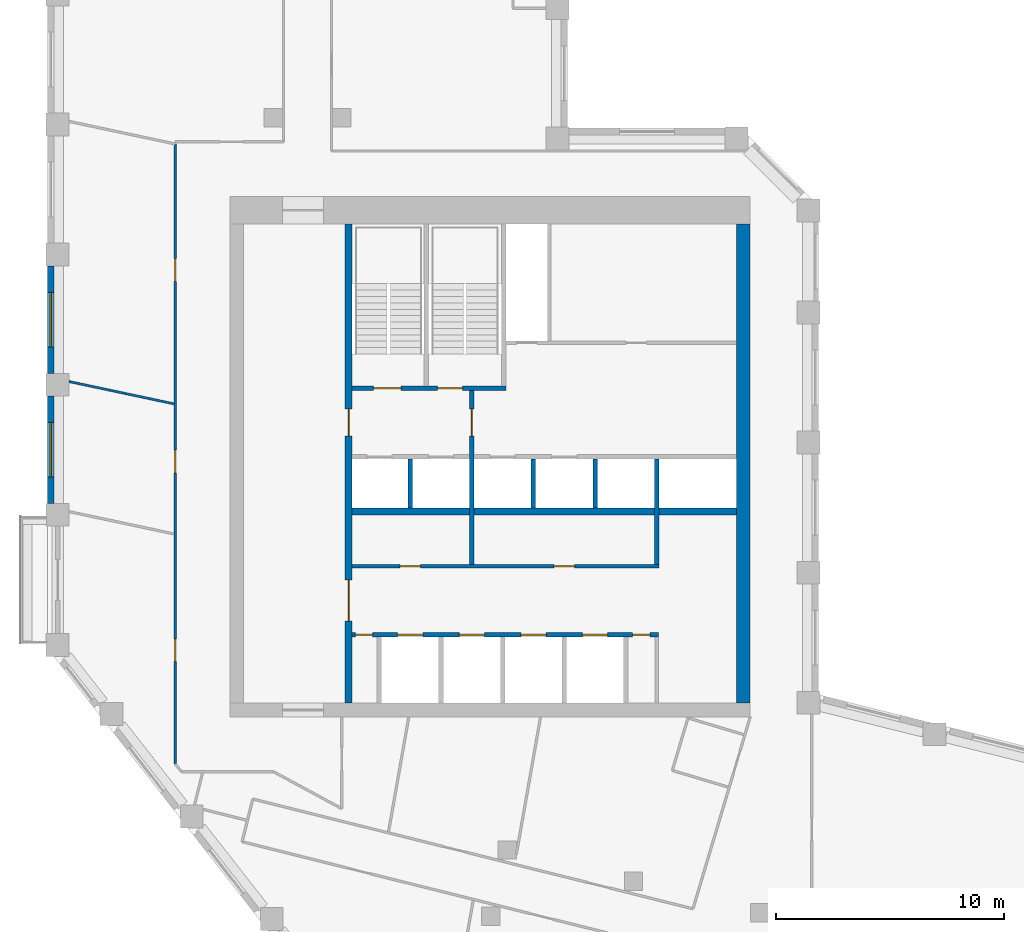
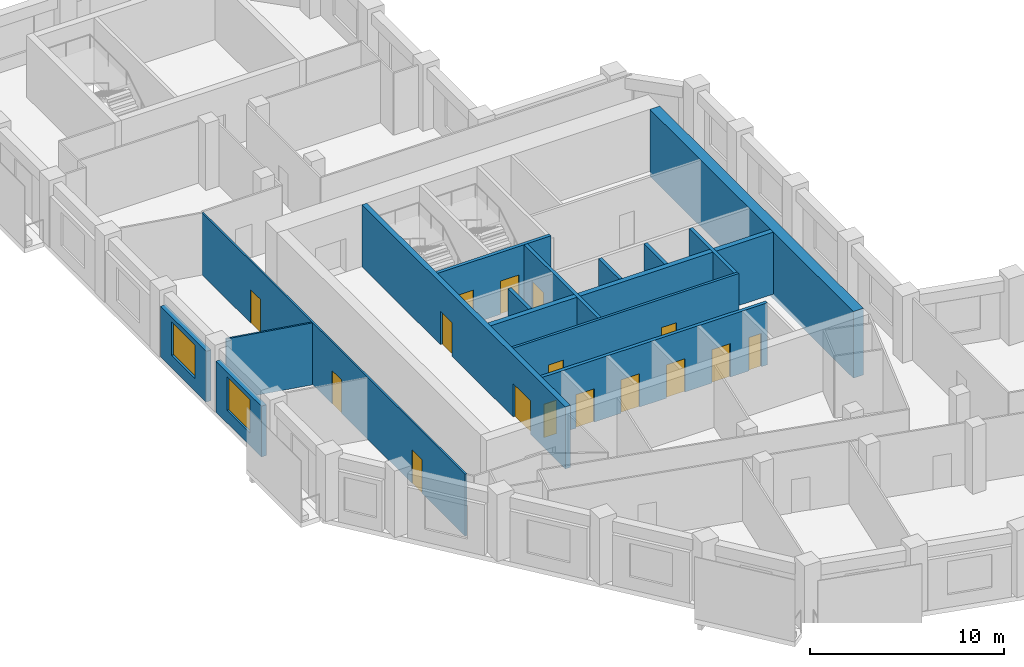
# One storey, part 5 of 9: 16 doors, 15 walls, 2 windows, 18 openings.
"""IFC4 building model written with IfcOpenShell, lengths in metres."""

from ifc_helpers import new_model, si_unit, direction, frame, frame_2d, origin, place, context, subcontext, project, spatial, rectangle, extrude, material, layer, layer_set, type_object, element, fill, save


model = new_model("IFC4")

# Units and contexts
model_context = context("Model", 3, precision=1e-05, world=origin(), true_north=direction((0.0, 1.0)))
body_context = subcontext(model_context, "Body", "Model", "MODEL_VIEW")
ifc_project = project(units=[si_unit("LENGTHUNIT", "METRE"), si_unit("AREAUNIT", "SQUARE_METRE"), si_unit("VOLUMEUNIT", "CUBIC_METRE"), si_unit("PLANEANGLEUNIT", "RADIAN"), si_unit("MASSUNIT", "GRAM", prefix="KILO")], contexts=[model_context])

# Site, building, storey
site_placement = place(None, origin())
site = spatial("IfcSite", under=ifc_project, at=site_placement, CompositionType="ELEMENT")
building_placement = place(site_placement, origin())
building = spatial("IfcBuilding", under=site, at=building_placement, Name="Meshkara Civic Tower", CompositionType="ELEMENT")
storey_placement = place(building_placement, frame((0.0, 0.0, 298.199951171875)))
storey = spatial("IfcBuildingStorey", under=building, at=storey_placement, Name="L68", CompositionType="ELEMENT", Elevation=298.199951171875)

# Wall, openings, doors
ifc_material_1 = material(Name="Blockwork", Category="masonry")
ifc_layer_1 = layer(ifc_material_1, 0.14990234375)
ifc_layer_set_1 = layer_set([ifc_layer_1], Name="Core partition 150")
wall_type_1 = type_object("IfcWallType", Name="Core partition 150", PredefinedType="PARTITIONING", material=ifc_layer_set_1)
wall_1_placement = place(storey_placement, frame((13.35009765625, 20.699951171875, 0.0), z_axis=(0.0, 0.0, 1.0), x_axis=(1.0, 0.0, 0.0)))
wall_1 = element("IfcWall", 1, at=wall_1_placement, inside=storey, type_object=wall_type_1, Name="L68-C006", PredefinedType="PARTITIONING", context=body_context, shape_type="SweptSolid", body=[
    extrude(rectangle(XDim=13.449951171875, YDim=0.14990234375, at=frame_2d((6.72509765625, 0.0))), origin(), (0.0, 0.0, 1.0), 3.900146484375),
])
opening_1_placement = place(wall_1_placement, frame((2.10009765625, 0.0, 0.0)))
opening_1 = element("IfcOpeningElement", 2, at=opening_1_placement, cuts=wall_1, Name="Opening L68-K011", PredefinedType="OPENING", context=body_context, shape_type="SweptSolid", body=[
    extrude(rectangle(XDim=0.89990234375, YDim=2.10009765625, at=frame_2d((0.449951171875, 1.050048828125))), frame((0.0, 0.0849609375, 0.0), z_axis=(0.0, -1.0, 0.0), x_axis=(1.0, 0.0, 0.0)), (0.0, 0.0, 1.0), 0.169921875),
])
opening_2_placement = place(wall_1_placement, frame((8.85009765625, 0.0, 0.0)))
opening_2 = element("IfcOpeningElement", 3, at=opening_2_placement, cuts=wall_1, Name="Opening L68-K012", PredefinedType="OPENING", context=body_context, shape_type="SweptSolid", body=[
    extrude(rectangle(XDim=0.89990234375, YDim=2.10009765625, at=frame_2d((0.449951171875, 1.050048828125))), frame((0.0, 0.0849609375, 0.0), z_axis=(0.0, -1.0, 0.0), x_axis=(1.0, 0.0, 0.0)), (0.0, 0.0, 1.0), 0.169921875),
])
ifc_material_2 = material(Name="Timber door leaf in steel frame", Category="steel")
door_type_1 = type_object("IfcDoorType", Name="Core room door 900", OperationType="SINGLE_SWING_LEFT", PredefinedType="DOOR", material=ifc_material_2)
door_1_placement = place(opening_1_placement, origin())
door_1 = element("IfcDoor", 4, at=door_1_placement, inside=storey, type_object=door_type_1, Name="L68-K011", OperationType="SINGLE_SWING_RIGHT", OverallHeight=2.10009765625, OverallWidth=0.89990234375, PredefinedType="DOOR", context=body_context, shape_type="SweptSolid", body=[
    extrude(rectangle(XDim=0.89990234375, YDim=2.10009765625, at=frame_2d((0.449951171875, 1.050048828125))), frame((0.0, 0.02490234375, 0.0), z_axis=(0.0, -1.0, 0.0), x_axis=(1.0, 0.0, 0.0)), (0.0, 0.0, 1.0), 0.050048828125),
])
fill(opening_1, door_1)
door_2_placement = place(opening_2_placement, origin())
door_2 = element("IfcDoor", 5, at=door_2_placement, inside=storey, type_object=door_type_1, Name="L68-K012", OperationType="SINGLE_SWING_RIGHT", OverallHeight=2.10009765625, OverallWidth=0.89990234375, PredefinedType="DOOR", context=body_context, shape_type="SweptSolid", body=[
    extrude(rectangle(XDim=0.89990234375, YDim=2.10009765625, at=frame_2d((0.449951171875, 1.050048828125))), frame((0.0, 0.02490234375, 0.0), z_axis=(0.0, -1.0, 0.0), x_axis=(1.0, 0.0, 0.0)), (0.0, 0.0, 1.0), 0.050048828125),
])
fill(opening_2, door_2)

# Walls
ifc_material_3 = material(Name="Concrete C60", Category="concrete")
ifc_layer_2 = layer(ifc_material_3, 0.60009765625)
ifc_layer_set_2 = layer_set([ifc_layer_2], Name="Core ring wall 600 C60")
wall_type_2 = type_object("IfcWallType", Name="Core ring wall 600 C60", PredefinedType="SHEAR", material=ifc_layer_set_2)
wall_2_placement = place(storey_placement, frame((30.5, 14.699951171875, -0.300048828125), z_axis=(0.0, 0.0, 1.0), x_axis=(0.0, 1.0, 0.0)))
element("IfcWall", 6, at=wall_2_placement, inside=storey, type_object=wall_type_2, Name="L68-C004", PredefinedType="SHEAR", context=body_context, shape_type="SweptSolid", body=[
    extrude(rectangle(XDim=21.0, YDim=0.60009765625, at=frame_2d((10.5, 0.0))), origin(), (0.0, 0.0, 1.0), 4.2001953125),
])
ifc_material_4 = material(Name="Concrete C60", Category="concrete")
ifc_layer_3 = layer(ifc_material_4, 0.300048828125)
ifc_layer_set_3 = layer_set([ifc_layer_3], Name="Core shear wall 300 C60")
wall_type_3 = type_object("IfcWallType", Name="Core shear wall 300 C60", PredefinedType="SHEAR", material=ifc_layer_set_3)
wall_3_placement = place(storey_placement, frame((13.35009765625, 23.10009765625, 0.0), z_axis=(0.0, 0.0, 1.0), x_axis=(1.0, 0.0, 0.0)))
element("IfcWall", 7, at=wall_3_placement, inside=storey, type_object=wall_type_3, Name="L68-C007", PredefinedType="SHEAR", context=body_context, shape_type="SweptSolid", body=[
    extrude(rectangle(XDim=16.849853515625, YDim=0.300048828125, at=frame_2d((8.4248046875, 0.0))), origin(), (0.0, 0.0, 1.0), 3.900146484375),
])

# Wall, openings, doors
wall_4_placement = place(storey_placement, frame((13.199951171875, 14.699951171875, 0.0), z_axis=(0.0, 0.0, 1.0), x_axis=(0.0, 1.0, 0.0)))
wall_4 = element("IfcWall", 8, at=wall_4_placement, inside=storey, type_object=wall_type_3, Name="L68-C011", PredefinedType="SHEAR", context=body_context, shape_type="SweptSolid", body=[
    extrude(rectangle(XDim=21.0, YDim=0.300048828125, at=frame_2d((10.5, 0.0))), origin(), (0.0, 0.0, 1.0), 3.900146484375),
])
opening_3_placement = place(wall_4_placement, frame((3.60009765625, 0.0, 0.0)))
opening_3 = element("IfcOpeningElement", 9, at=opening_3_placement, cuts=wall_4, Name="Opening L68-K017", PredefinedType="OPENING", context=body_context, shape_type="SweptSolid", body=[
    extrude(rectangle(XDim=1.800048828125, YDim=2.10009765625, at=frame_2d((0.89990234375, 1.050048828125))), frame((0.0, 0.159912109375, 0.0), z_axis=(0.0, -1.0, 0.0), x_axis=(1.0, 0.0, 0.0)), (0.0, 0.0, 1.0), 0.320068359375),
])
opening_4_placement = place(wall_4_placement, frame((11.699951171875, 0.0, 0.0)))
opening_4 = element("IfcOpeningElement", 10, at=opening_4_placement, cuts=wall_4, Name="Opening L68-K018", PredefinedType="OPENING", context=body_context, shape_type="SweptSolid", body=[
    extrude(rectangle(XDim=1.199951171875, YDim=2.10009765625, at=frame_2d((0.60009765625, 1.050048828125))), frame((0.0, 0.159912109375, 0.0), z_axis=(0.0, -1.0, 0.0), x_axis=(1.0, 0.0, 0.0)), (0.0, 0.0, 1.0), 0.320068359375),
])
ifc_material_5 = material(Name="Fire-rated door leaf in steel frame", Category="steel")
door_type_2 = type_object("IfcDoorType", Name="Core double door 1800 EI 60", OperationType="DOUBLE_DOOR_SINGLE_SWING", PredefinedType="DOOR", material=ifc_material_5)
door_3_placement = place(opening_3_placement, origin())
door_3 = element("IfcDoor", 11, at=door_3_placement, inside=storey, type_object=door_type_2, Name="L68-K017", OperationType="DOUBLE_DOOR_SINGLE_SWING", OverallHeight=2.10009765625, OverallWidth=1.800048828125, PredefinedType="DOOR", context=body_context, shape_type="SweptSolid", body=[
    extrude(rectangle(XDim=1.800048828125, YDim=2.10009765625, at=frame_2d((0.89990234375, 1.050048828125))), frame((0.0, 0.02490234375, 0.0), z_axis=(0.0, -1.0, 0.0), x_axis=(1.0, 0.0, 0.0)), (0.0, 0.0, 1.0), 0.050048828125),
])
fill(opening_3, door_3)
ifc_material_6 = material(Name="Fire-rated door leaf in steel frame", Category="steel")
door_type_3 = type_object("IfcDoorType", Name="Fire-fighting lobby door 1200 EI 120", OperationType="SINGLE_SWING_LEFT", PredefinedType="DOOR", material=ifc_material_6)
door_4_placement = place(opening_4_placement, origin())
door_4 = element("IfcDoor", 12, at=door_4_placement, inside=storey, type_object=door_type_3, Name="L68-K018", OperationType="SINGLE_SWING_LEFT", OverallHeight=2.10009765625, OverallWidth=1.199951171875, PredefinedType="DOOR", context=body_context, shape_type="SweptSolid", body=[
    extrude(rectangle(XDim=1.199951171875, YDim=2.10009765625, at=frame_2d((0.60009765625, 1.050048828125))), frame((0.0, 0.02490234375, 0.0), z_axis=(0.0, -1.0, 0.0), x_axis=(1.0, 0.0, 0.0)), (0.0, 0.0, 1.0), 0.050048828125),
])
fill(opening_4, door_4)

ifc_material_7 = material(Name="Corridor wall 100")
ifc_layer_4 = layer(ifc_material_7, 0.10009765625)
ifc_layer_set_4 = layer_set([ifc_layer_4], Name="Corridor wall 100")
wall_type_4 = type_object("IfcWallType", Name="Corridor wall 100", PredefinedType="PARTITIONING", material=ifc_layer_set_4)
wall_5_placement = place(storey_placement, frame((5.60009765625, 12.04296875, 0.0), z_axis=(0.0, 0.0, 1.0), x_axis=(0.0, 1.0, 0.0)))
wall_5 = element("IfcWall", 13, at=wall_5_placement, inside=storey, type_object=wall_type_4, Name="L68-W003", PredefinedType="PARTITIONING", context=body_context, shape_type="SweptSolid", body=[
    extrude(rectangle(XDim=27.162109375, YDim=0.10009765625, at=frame_2d((13.5810546875, 0.0))), origin(), (0.0, 0.0, 1.0), 3.900146484375),
])
opening_5_placement = place(wall_5_placement, frame((4.47998046875, 0.0, 0.0)))
opening_5 = element("IfcOpeningElement", 14, at=opening_5_placement, cuts=wall_5, Name="Opening L68-D013", PredefinedType="OPENING", context=body_context, shape_type="SweptSolid", body=[
    extrude(rectangle(XDim=1.0, YDim=2.10009765625, at=frame_2d((0.5, 1.050048828125))), frame((0.0, 0.06005859375, 0.0), z_axis=(0.0, -1.0, 0.0), x_axis=(1.0, 0.0, 0.0)), (0.0, 0.0, 1.0), 0.1201171875),
])
opening_6_placement = place(wall_5_placement, frame((12.741943359375, 0.0, 0.0)))
opening_6 = element("IfcOpeningElement", 15, at=opening_6_placement, cuts=wall_5, Name="Opening L68-D016", PredefinedType="OPENING", context=body_context, shape_type="SweptSolid", body=[
    extrude(rectangle(XDim=1.0, YDim=2.10009765625, at=frame_2d((0.5, 1.050048828125))), frame((0.0, 0.06005859375, 0.0), z_axis=(0.0, -1.0, 0.0), x_axis=(1.0, 0.0, 0.0)), (0.0, 0.0, 1.0), 0.1201171875),
])
opening_7_placement = place(wall_5_placement, frame((21.14208984375, 0.0, 0.0)))
opening_7 = element("IfcOpeningElement", 16, at=opening_7_placement, cuts=wall_5, Name="Opening L68-D017", PredefinedType="OPENING", context=body_context, shape_type="SweptSolid", body=[
    extrude(rectangle(XDim=1.0, YDim=2.10009765625, at=frame_2d((0.5, 1.050048828125))), frame((0.0, 0.06005859375, 0.0), z_axis=(0.0, -1.0, 0.0), x_axis=(1.0, 0.0, 0.0)), (0.0, 0.0, 1.0), 0.1201171875),
])
ifc_material_8 = material(Name="Door 1000 x 2100")
door_type_4 = type_object("IfcDoorType", Name="Door 1000 x 2100", OperationType="SINGLE_SWING_LEFT", PredefinedType="DOOR", material=ifc_material_8)
door_5_placement = place(opening_5_placement, origin())
door_5 = element("IfcDoor", 17, at=door_5_placement, inside=storey, type_object=door_type_4, Name="L68-D013", OperationType="SINGLE_SWING_LEFT", OverallHeight=2.10009765625, OverallWidth=1.0, PredefinedType="DOOR", context=body_context, shape_type="SweptSolid", body=[
    extrude(rectangle(XDim=1.0, YDim=2.10009765625, at=frame_2d((0.5, 1.050048828125))), frame((0.0, 0.02490234375, 0.0), z_axis=(0.0, -1.0, 0.0), x_axis=(1.0, 0.0, 0.0)), (0.0, 0.0, 1.0), 0.050048828125),
])
fill(opening_5, door_5)
door_6_placement = place(opening_6_placement, origin())
door_6 = element("IfcDoor", 18, at=door_6_placement, inside=storey, type_object=door_type_4, Name="L68-D016", OperationType="SINGLE_SWING_RIGHT", OverallHeight=2.10009765625, OverallWidth=1.0, PredefinedType="DOOR", context=body_context, shape_type="SweptSolid", body=[
    extrude(rectangle(XDim=1.0, YDim=2.10009765625, at=frame_2d((0.5, 1.050048828125))), frame((0.0, 0.02490234375, 0.0), z_axis=(0.0, -1.0, 0.0), x_axis=(1.0, 0.0, 0.0)), (0.0, 0.0, 1.0), 0.050048828125),
])
fill(opening_6, door_6)
door_7_placement = place(opening_7_placement, origin())
door_7 = element("IfcDoor", 19, at=door_7_placement, inside=storey, type_object=door_type_4, Name="L68-D017", OperationType="SINGLE_SWING_RIGHT", OverallHeight=2.10009765625, OverallWidth=1.0, PredefinedType="DOOR", context=body_context, shape_type="SweptSolid", body=[
    extrude(rectangle(XDim=1.0, YDim=2.10009765625, at=frame_2d((0.5, 1.050048828125))), frame((0.0, 0.02490234375, 0.0), z_axis=(0.0, -1.0, 0.0), x_axis=(1.0, 0.0, 0.0)), (0.0, 0.0, 1.0), 0.050048828125),
])
fill(opening_7, door_7)

# Wall, opening, window
ifc_material_9 = material(Name="Insulated infill panel with bronze anodised aluminium cladding", Category="aluminium")
ifc_layer_5 = layer(ifc_material_9, 0.300048828125)
ifc_layer_set_5 = layer_set([ifc_layer_5], Name="EXTERNAL INFILL WALL 300")
wall_type_5 = type_object("IfcWallType", Name="EXTERNAL INFILL WALL 300", PredefinedType="SOLIDWALL", material=ifc_layer_set_5)
wall_6_placement = place(storey_placement, frame((0.14990234375, 33.85498046875, 0.0), z_axis=(0.0, 0.0, 1.0), x_axis=(0.0, -1.0, 0.0)))
wall_6 = element("IfcWall", 20, at=wall_6_placement, inside=storey, type_object=wall_type_5, Name="External wall", PredefinedType="SOLIDWALL", context=body_context, shape_type="SweptSolid", body=[
    extrude(rectangle(XDim=4.699951171875, YDim=0.300048828125, at=frame_2d((2.35009765625, 0.0))), origin(), (0.0, 0.0, 1.0), 3.199951171875),
])
opening_8_placement = place(wall_6_placement, frame((1.14990234375, 0.0, 0.800048828125)))
opening_8 = element("IfcOpeningElement", 21, at=opening_8_placement, cuts=wall_6, Name="Opening W7", PredefinedType="OPENING", context=body_context, shape_type="SweptSolid", body=[
    extrude(rectangle(XDim=2.39990234375, YDim=2.10009765625, at=frame_2d((1.199951171875, 1.050048828125))), frame((0.0, 0.159912109375, 0.0), z_axis=(0.0, -1.0, 0.0), x_axis=(1.0, 0.0, 0.0)), (0.0, 0.0, 1.0), 0.320068359375),
])
ifc_material_10 = material(Name="Tinted double glazing", Category="glass")
window_type = type_object("IfcWindowType", Name="WINDOW 2400x2100", PartitioningType="DOUBLE_PANEL_VERTICAL", PredefinedType="WINDOW", material=ifc_material_10)
window_1_placement = place(opening_8_placement, origin())
window_1 = element("IfcWindow", 22, at=window_1_placement, inside=storey, type_object=window_type, Name="Window", OverallHeight=2.10009765625, OverallWidth=2.39990234375, PartitioningType="DOUBLE_PANEL_VERTICAL", PredefinedType="WINDOW", context=body_context, shape_type="SweptSolid", body=[
    extrude(rectangle(XDim=2.39990234375, YDim=2.10009765625, at=frame_2d((1.199951171875, 1.050048828125))), frame((0.0, 0.030029296875, 0.0), z_axis=(0.0, -1.0, 0.0), x_axis=(1.0, 0.0, 0.0)), (0.0, 0.0, 1.0), 0.06005859375),
])
fill(opening_8, window_1)

wall_7_placement = place(storey_placement, frame((0.14990234375, 28.155029296875, 0.0), z_axis=(0.0, 0.0, 1.0), x_axis=(0.0, -1.0, 0.0)))
wall_7 = element("IfcWall", 23, at=wall_7_placement, inside=storey, type_object=wall_type_5, Name="External wall", PredefinedType="SOLIDWALL", context=body_context, shape_type="SweptSolid", body=[
    extrude(rectangle(XDim=4.699951171875, YDim=0.300048828125, at=frame_2d((2.35009765625, 0.0))), origin(), (0.0, 0.0, 1.0), 3.199951171875),
])
opening_9_placement = place(wall_7_placement, frame((1.14990234375, 0.0, 0.800048828125)))
opening_9 = element("IfcOpeningElement", 24, at=opening_9_placement, cuts=wall_7, Name="Opening W7", PredefinedType="OPENING", context=body_context, shape_type="SweptSolid", body=[
    extrude(rectangle(XDim=2.39990234375, YDim=2.10009765625, at=frame_2d((1.199951171875, 1.050048828125))), frame((0.0, 0.159912109375, 0.0), z_axis=(0.0, -1.0, 0.0), x_axis=(1.0, 0.0, 0.0)), (0.0, 0.0, 1.0), 0.320068359375),
])
window_2_placement = place(opening_9_placement, origin())
window_2 = element("IfcWindow", 25, at=window_2_placement, inside=storey, type_object=window_type, Name="Window", OverallHeight=2.10009765625, OverallWidth=2.39990234375, PartitioningType="DOUBLE_PANEL_VERTICAL", PredefinedType="WINDOW", context=body_context, shape_type="SweptSolid", body=[
    extrude(rectangle(XDim=2.39990234375, YDim=2.10009765625, at=frame_2d((1.199951171875, 1.050048828125))), frame((0.0, 0.030029296875, 0.0), z_axis=(0.0, -1.0, 0.0), x_axis=(1.0, 0.0, 0.0)), (0.0, 0.0, 1.0), 0.06005859375),
])
fill(opening_9, window_2)

# Wall
ifc_material_11 = material(Name="Partition 100")
ifc_layer_6 = layer(ifc_material_11, 0.10009765625)
ifc_layer_set_6 = layer_set([ifc_layer_6], Name="Partition 100")
wall_type_6 = type_object("IfcWallType", Name="Partition 100", PredefinedType="PARTITIONING", material=ifc_layer_set_6)
wall_8_placement = place(storey_placement, frame((5.5400390625, 27.818115234375, 0.0), z_axis=(0.0, 0.0, 1.0), x_axis=(-0.978139938949, 0.207947733417, 0.0)))
element("IfcWall", 26, at=wall_8_placement, inside=storey, type_object=wall_type_6, Name="L68-W037", PredefinedType="PARTITIONING", context=body_context, shape_type="SweptSolid", body=[
    extrude(rectangle(XDim=4.692626953125, YDim=0.10009765625, at=frame_2d((2.34619140625, 0.0))), origin(), (0.0, 0.0, 1.0), 3.900146484375),
])

# Wall, openings, doors
ifc_material_12 = material(Name="Concrete C40/50", Category="concrete")
ifc_layer_7 = layer(ifc_material_12, 0.199951171875)
ifc_layer_set_7 = layer_set([ifc_layer_7], Name="Shaft wall 200 C40/50")
wall_type_7 = type_object("IfcWallType", Name="Shaft wall 200 C40/50", PredefinedType="SOLIDWALL", material=ifc_layer_set_7)
wall_9_placement = place(storey_placement, frame((13.35009765625, 17.699951171875, 0.0), z_axis=(0.0, 0.0, 1.0), x_axis=(1.0, 0.0, 0.0)))
wall_9 = element("IfcWall", 27, at=wall_9_placement, inside=storey, type_object=wall_type_7, Name="L68-C005", PredefinedType="SOLIDWALL", context=body_context, shape_type="SweptSolid", body=[
    extrude(rectangle(XDim=13.4248046875, YDim=0.199951171875, at=frame_2d((6.71240234375, 0.0))), origin(), (0.0, 0.0, 1.0), 3.900146484375),
])
opening_10_placement = place(wall_9_placement, frame((2.0, 0.0, 0.0)))
opening_10 = element("IfcOpeningElement", 28, at=opening_10_placement, cuts=wall_9, Name="Opening L68-K001", PredefinedType="OPENING", context=body_context, shape_type="SweptSolid", body=[
    extrude(rectangle(XDim=1.10009765625, YDim=2.10009765625, at=frame_2d((0.550048828125, 1.050048828125))), frame((0.0, 0.10986328125, 0.0), z_axis=(0.0, -1.0, 0.0), x_axis=(1.0, 0.0, 0.0)), (0.0, 0.0, 1.0), 0.219970703125),
])
opening_11_placement = place(wall_9_placement, frame((4.699951171875, 0.0, 0.0)))
opening_11 = element("IfcOpeningElement", 29, at=opening_11_placement, cuts=wall_9, Name="Opening L68-K002", PredefinedType="OPENING", context=body_context, shape_type="SweptSolid", body=[
    extrude(rectangle(XDim=1.10009765625, YDim=2.10009765625, at=frame_2d((0.550048828125, 1.050048828125))), frame((0.0, 0.10986328125, 0.0), z_axis=(0.0, -1.0, 0.0), x_axis=(1.0, 0.0, 0.0)), (0.0, 0.0, 1.0), 0.219970703125),
])
opening_12_placement = place(wall_9_placement, frame((7.39990234375, 0.0, 0.0)))
opening_12 = element("IfcOpeningElement", 30, at=opening_12_placement, cuts=wall_9, Name="Opening L68-K003", PredefinedType="OPENING", context=body_context, shape_type="SweptSolid", body=[
    extrude(rectangle(XDim=1.10009765625, YDim=2.10009765625, at=frame_2d((0.550048828125, 1.050048828125))), frame((0.0, 0.10986328125, 0.0), z_axis=(0.0, -1.0, 0.0), x_axis=(1.0, 0.0, 0.0)), (0.0, 0.0, 1.0), 0.219970703125),
])
opening_13_placement = place(wall_9_placement, frame((10.10009765625, 0.0, 0.0)))
opening_13 = element("IfcOpeningElement", 31, at=opening_13_placement, cuts=wall_9, Name="Opening L68-K004", PredefinedType="OPENING", context=body_context, shape_type="SweptSolid", body=[
    extrude(rectangle(XDim=1.10009765625, YDim=2.10009765625, at=frame_2d((0.550048828125, 1.050048828125))), frame((0.0, 0.10986328125, 0.0), z_axis=(0.0, -1.0, 0.0), x_axis=(1.0, 0.0, 0.0)), (0.0, 0.0, 1.0), 0.219970703125),
])
opening_14_placement = place(wall_9_placement, frame((0.14990234375, 0.0, 0.0)))
opening_14 = element("IfcOpeningElement", 32, at=opening_14_placement, cuts=wall_9, Name="Opening L68-K009", PredefinedType="OPENING", context=body_context, shape_type="SweptSolid", body=[
    extrude(rectangle(XDim=0.75, YDim=2.10009765625, at=frame_2d((0.375, 1.050048828125))), frame((0.0, 0.10986328125, 0.0), z_axis=(0.0, -1.0, 0.0), x_axis=(1.0, 0.0, 0.0)), (0.0, 0.0, 1.0), 0.219970703125),
])
opening_15_placement = place(wall_9_placement, frame((12.300048828125, 0.0, 0.0)))
opening_15 = element("IfcOpeningElement", 33, at=opening_15_placement, cuts=wall_9, Name="Opening L68-K010", PredefinedType="OPENING", context=body_context, shape_type="SweptSolid", body=[
    extrude(rectangle(XDim=0.75, YDim=2.10009765625, at=frame_2d((0.375, 1.050048828125))), frame((0.0, 0.10986328125, 0.0), z_axis=(0.0, -1.0, 0.0), x_axis=(1.0, 0.0, 0.0)), (0.0, 0.0, 1.0), 0.219970703125),
])
ifc_material_13 = material(Name="Timber door leaf in steel frame", Category="steel")
door_type_5 = type_object("IfcDoorType", Name="Core room door 750", OperationType="SINGLE_SWING_LEFT", PredefinedType="DOOR", material=ifc_material_13)
door_8_placement = place(opening_14_placement, origin())
door_8 = element("IfcDoor", 34, at=door_8_placement, inside=storey, type_object=door_type_5, Name="L68-K009", OperationType="SINGLE_SWING_RIGHT", OverallHeight=2.10009765625, OverallWidth=0.75, PredefinedType="DOOR", context=body_context, shape_type="SweptSolid", body=[
    extrude(rectangle(XDim=0.75, YDim=2.10009765625, at=frame_2d((0.375, 1.050048828125))), frame((0.0, 0.02490234375, 0.0), z_axis=(0.0, -1.0, 0.0), x_axis=(1.0, 0.0, 0.0)), (0.0, 0.0, 1.0), 0.050048828125),
])
fill(opening_14, door_8)
door_9_placement = place(opening_15_placement, origin())
door_9 = element("IfcDoor", 35, at=door_9_placement, inside=storey, type_object=door_type_5, Name="L68-K010", OperationType="SINGLE_SWING_RIGHT", OverallHeight=2.10009765625, OverallWidth=0.75, PredefinedType="DOOR", context=body_context, shape_type="SweptSolid", body=[
    extrude(rectangle(XDim=0.75, YDim=2.10009765625, at=frame_2d((0.375, 1.050048828125))), frame((0.0, 0.02490234375, 0.0), z_axis=(0.0, -1.0, 0.0), x_axis=(1.0, 0.0, 0.0)), (0.0, 0.0, 1.0), 0.050048828125),
])
fill(opening_15, door_9)
ifc_material_14 = material(Name="Stainless steel landing door", Category="steel")
door_type_6 = type_object("IfcDoorType", Name="Lift landing door 1100", OperationType="SLIDING_TO_LEFT", PredefinedType="DOOR", material=ifc_material_14)
door_10_placement = place(opening_10_placement, origin())
door_10 = element("IfcDoor", 36, at=door_10_placement, inside=storey, type_object=door_type_6, Name="L68-K001", OperationType="SLIDING_TO_LEFT", OverallHeight=2.10009765625, OverallWidth=1.10009765625, PredefinedType="DOOR", context=body_context, shape_type="SweptSolid", body=[
    extrude(rectangle(XDim=1.10009765625, YDim=2.10009765625, at=frame_2d((0.550048828125, 1.050048828125))), frame((0.0, 0.02490234375, 0.0), z_axis=(0.0, -1.0, 0.0), x_axis=(1.0, 0.0, 0.0)), (0.0, 0.0, 1.0), 0.050048828125),
])
fill(opening_10, door_10)
door_11_placement = place(opening_11_placement, origin())
door_11 = element("IfcDoor", 37, at=door_11_placement, inside=storey, type_object=door_type_6, Name="L68-K002", OperationType="SLIDING_TO_LEFT", OverallHeight=2.10009765625, OverallWidth=1.10009765625, PredefinedType="DOOR", context=body_context, shape_type="SweptSolid", body=[
    extrude(rectangle(XDim=1.10009765625, YDim=2.10009765625, at=frame_2d((0.550048828125, 1.050048828125))), frame((0.0, 0.02490234375, 0.0), z_axis=(0.0, -1.0, 0.0), x_axis=(1.0, 0.0, 0.0)), (0.0, 0.0, 1.0), 0.050048828125),
])
fill(opening_11, door_11)
door_12_placement = place(opening_12_placement, origin())
door_12 = element("IfcDoor", 38, at=door_12_placement, inside=storey, type_object=door_type_6, Name="L68-K003", OperationType="SLIDING_TO_LEFT", OverallHeight=2.10009765625, OverallWidth=1.10009765625, PredefinedType="DOOR", context=body_context, shape_type="SweptSolid", body=[
    extrude(rectangle(XDim=1.10009765625, YDim=2.10009765625, at=frame_2d((0.550048828125, 1.050048828125))), frame((0.0, 0.02490234375, 0.0), z_axis=(0.0, -1.0, 0.0), x_axis=(1.0, 0.0, 0.0)), (0.0, 0.0, 1.0), 0.050048828125),
])
fill(opening_12, door_12)
door_13_placement = place(opening_13_placement, origin())
door_13 = element("IfcDoor", 39, at=door_13_placement, inside=storey, type_object=door_type_6, Name="L68-K004", OperationType="SLIDING_TO_LEFT", OverallHeight=2.10009765625, OverallWidth=1.10009765625, PredefinedType="DOOR", context=body_context, shape_type="SweptSolid", body=[
    extrude(rectangle(XDim=1.10009765625, YDim=2.10009765625, at=frame_2d((0.550048828125, 1.050048828125))), frame((0.0, 0.02490234375, 0.0), z_axis=(0.0, -1.0, 0.0), x_axis=(1.0, 0.0, 0.0)), (0.0, 0.0, 1.0), 0.050048828125),
])
fill(opening_13, door_13)

# Wall
wall_10_placement = place(storey_placement, frame((15.89990234375, 23.25, 0.0), z_axis=(0.0, 0.0, 1.0), x_axis=(0.0, 1.0, 0.0)))
element("IfcWall", 40, at=wall_10_placement, inside=storey, type_object=wall_type_7, Name="L68-C013", PredefinedType="SOLIDWALL", context=body_context, shape_type="SweptSolid", body=[
    extrude(rectangle(XDim=2.14990234375, YDim=0.199951171875, at=frame_2d((1.074951171875, 0.0))), origin(), (0.0, 0.0, 1.0), 3.900146484375),
])

# Wall, opening, door
wall_11_placement = place(storey_placement, frame((18.60009765625, 20.77490234375, 0.0), z_axis=(0.0, 0.0, 1.0), x_axis=(0.0, 1.0, 0.0)))
wall_11 = element("IfcWall", 41, at=wall_11_placement, inside=storey, type_object=wall_type_7, Name="L68-C016", PredefinedType="SOLIDWALL", context=body_context, shape_type="SweptSolid", body=[
    extrude(rectangle(XDim=7.625, YDim=0.199951171875, at=frame_2d((3.8125, 0.0))), origin(), (0.0, 0.0, 1.0), 3.900146484375),
])
opening_16_placement = place(wall_11_placement, frame((5.625, 0.0, 0.0)))
opening_16 = element("IfcOpeningElement", 42, at=opening_16_placement, cuts=wall_11, Name="Opening L68-K019", PredefinedType="OPENING", context=body_context, shape_type="SweptSolid", body=[
    extrude(rectangle(XDim=1.199951171875, YDim=2.10009765625, at=frame_2d((0.60009765625, 1.050048828125))), frame((0.0, 0.10986328125, 0.0), z_axis=(0.0, -1.0, 0.0), x_axis=(1.0, 0.0, 0.0)), (0.0, 0.0, 1.0), 0.219970703125),
])
door_14_placement = place(opening_16_placement, origin())
door_14 = element("IfcDoor", 43, at=door_14_placement, inside=storey, type_object=door_type_3, Name="L68-K019", OperationType="SINGLE_SWING_RIGHT", OverallHeight=2.10009765625, OverallWidth=1.199951171875, PredefinedType="DOOR", context=body_context, shape_type="SweptSolid", body=[
    extrude(rectangle(XDim=1.199951171875, YDim=2.10009765625, at=frame_2d((0.60009765625, 1.050048828125))), frame((0.0, 0.02490234375, 0.0), z_axis=(0.0, -1.0, 0.0), x_axis=(1.0, 0.0, 0.0)), (0.0, 0.0, 1.0), 0.050048828125),
])
fill(opening_16, door_14)

# Walls
for number, where, z_axis, x_axis, name in (
    (44, (21.300048828125, 23.25, 0.0), (0.0, 0.0, 1.0), (0.0, 1.0, 0.0), "L68-C019"),
    (45, (24.0, 23.25, 0.0), (0.0, 0.0, 1.0), (0.0, 1.0, 0.0), "L68-C022"),
):
    element("IfcWall", number, at=place(storey_placement, frame(where, z_axis=z_axis, x_axis=x_axis)), inside=storey, type_object=wall_type_7, Name=name, PredefinedType="SOLIDWALL", context=body_context, shape_type="SweptSolid", body=[
        extrude(rectangle(XDim=2.14990234375, YDim=0.199951171875, at=frame_2d((1.074951171875, 0.0))), origin(), (0.0, 0.0, 1.0), 3.900146484375),
    ])
wall_12_placement = place(storey_placement, frame((26.699951171875, 20.77490234375, 0.0), z_axis=(0.0, 0.0, 1.0), x_axis=(0.0, 1.0, 0.0)))
element("IfcWall", 46, at=wall_12_placement, inside=storey, type_object=wall_type_7, Name="L68-C025", PredefinedType="SOLIDWALL", context=body_context, shape_type="SweptSolid", body=[
    extrude(rectangle(XDim=4.625, YDim=0.199951171875, at=frame_2d((2.3125, 0.0))), origin(), (0.0, 0.0, 1.0), 3.900146484375),
])

# Wall, openings, doors
ifc_material_15 = material(Name="Concrete C40/50", Category="concrete")
ifc_layer_8 = layer(ifc_material_15, 0.199951171875)
ifc_layer_set_8 = layer_set([ifc_layer_8], Name="Stair enclosure wall 200 C40/50")
wall_type_8 = type_object("IfcWallType", Name="Stair enclosure wall 200 C40/50", PredefinedType="SOLIDWALL", material=ifc_layer_set_8)
wall_13_placement = place(storey_placement, frame((13.35009765625, 28.5, 0.0), z_axis=(0.0, 0.0, 1.0), x_axis=(1.0, 0.0, 0.0)))
wall_13 = element("IfcWall", 47, at=wall_13_placement, inside=storey, type_object=wall_type_8, Name="L68-C009", PredefinedType="SOLIDWALL", context=body_context, shape_type="SweptSolid", body=[
    extrude(rectangle(XDim=6.75, YDim=0.199951171875, at=frame_2d((3.375, 0.0))), origin(), (0.0, 0.0, 1.0), 3.900146484375),
])
opening_17_placement = place(wall_13_placement, frame((0.949951171875, 0.0, 0.0)))
opening_17 = element("IfcOpeningElement", 48, at=opening_17_placement, cuts=wall_13, Name="Opening L68-K015", PredefinedType="OPENING", context=body_context, shape_type="SweptSolid", body=[
    extrude(rectangle(XDim=1.199951171875, YDim=2.10009765625, at=frame_2d((0.60009765625, 1.050048828125))), frame((0.0, 0.10986328125, 0.0), z_axis=(0.0, -1.0, 0.0), x_axis=(1.0, 0.0, 0.0)), (0.0, 0.0, 1.0), 0.219970703125),
])
opening_18_placement = place(wall_13_placement, frame((3.75, 0.0, 0.0)))
opening_18 = element("IfcOpeningElement", 49, at=opening_18_placement, cuts=wall_13, Name="Opening L68-K016", PredefinedType="OPENING", context=body_context, shape_type="SweptSolid", body=[
    extrude(rectangle(XDim=1.10009765625, YDim=2.10009765625, at=frame_2d((0.550048828125, 1.050048828125))), frame((0.0, 0.10986328125, 0.0), z_axis=(0.0, -1.0, 0.0), x_axis=(1.0, 0.0, 0.0)), (0.0, 0.0, 1.0), 0.219970703125),
])
ifc_material_16 = material(Name="Fire-rated door leaf in steel frame", Category="steel")
door_type_7 = type_object("IfcDoorType", Name="Stair door 1100 EI 120", OperationType="SINGLE_SWING_LEFT", PredefinedType="DOOR", material=ifc_material_16)
door_15_placement = place(opening_18_placement, origin())
door_15 = element("IfcDoor", 50, at=door_15_placement, inside=storey, type_object=door_type_7, Name="L68-K016", OperationType="SINGLE_SWING_LEFT", OverallHeight=2.10009765625, OverallWidth=1.10009765625, PredefinedType="DOOR", context=body_context, shape_type="SweptSolid", body=[
    extrude(rectangle(XDim=1.10009765625, YDim=2.10009765625, at=frame_2d((0.550048828125, 1.050048828125))), frame((0.0, 0.02490234375, 0.0), z_axis=(0.0, -1.0, 0.0), x_axis=(1.0, 0.0, 0.0)), (0.0, 0.0, 1.0), 0.050048828125),
])
fill(opening_18, door_15)
ifc_material_17 = material(Name="Fire-rated door leaf in steel frame", Category="steel")
door_type_8 = type_object("IfcDoorType", Name="Stair door 1200 EI 120", OperationType="SINGLE_SWING_LEFT", PredefinedType="DOOR", material=ifc_material_17)
door_16_placement = place(opening_17_placement, origin())
door_16 = element("IfcDoor", 51, at=door_16_placement, inside=storey, type_object=door_type_8, Name="L68-K015", OperationType="SINGLE_SWING_RIGHT", OverallHeight=2.10009765625, OverallWidth=1.199951171875, PredefinedType="DOOR", context=body_context, shape_type="SweptSolid", body=[
    extrude(rectangle(XDim=1.199951171875, YDim=2.10009765625, at=frame_2d((0.60009765625, 1.050048828125))), frame((0.0, 0.02490234375, 0.0), z_axis=(0.0, -1.0, 0.0), x_axis=(1.0, 0.0, 0.0)), (0.0, 0.0, 1.0), 0.050048828125),
])
fill(opening_17, door_16)

save(model, "model.ifc")
